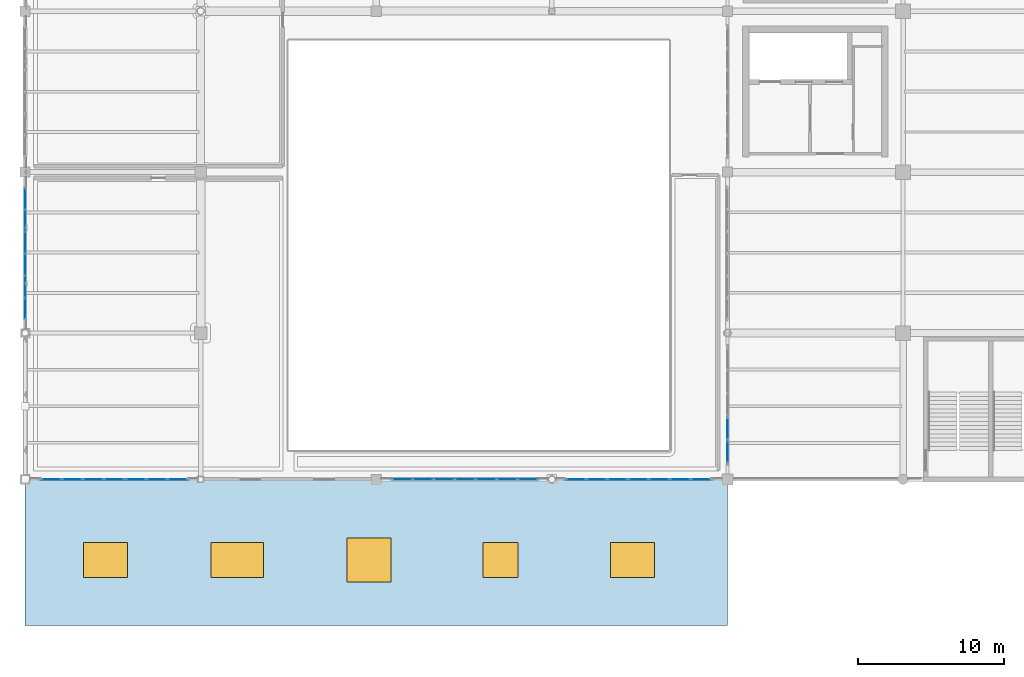
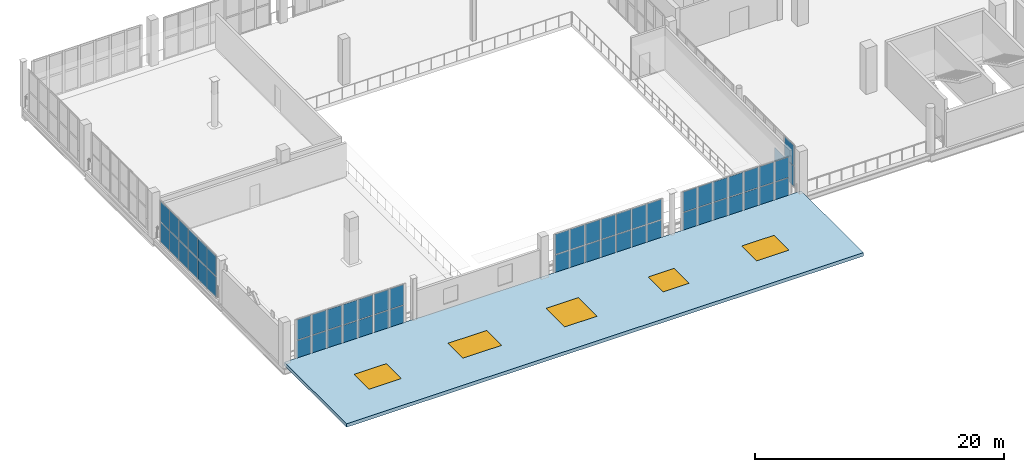
# One storey, part 66 of 108: 57 plates, 5 windows, 1 slab, 5 openings, 5 elements without a shape of their own.
"""IFC4 building model written with IfcOpenShell, lengths in metres."""

from ifc_helpers import new_model, si_unit, direction, frame, origin, origin_2d, place, context, subcontext, project, spatial, polyline, rectangle, outline, extrude, material, layer, layer_set, type_object, element, fill, aggregate, save


model = new_model("IFC4")

# Units and contexts
model_context = context("Model", 3, precision=1e-05, world=origin(), true_north=direction((0.0, 1.0)))
body_context = subcontext(model_context, "Body", "Model", "MODEL_VIEW")
ifc_project = project(units=[si_unit("LENGTHUNIT", "METRE"), si_unit("AREAUNIT", "SQUARE_METRE"), si_unit("VOLUMEUNIT", "CUBIC_METRE"), si_unit("PLANEANGLEUNIT", "RADIAN"), si_unit("MASSUNIT", "GRAM", prefix="KILO")], contexts=[model_context])

# Site, building, storey
site_placement = place(None, origin())
site = spatial("IfcSite", under=ifc_project, at=site_placement, CompositionType="ELEMENT")
building_placement = place(site_placement, origin())
building = spatial("IfcBuilding", under=site, at=building_placement, Name="Brinegate Civic Arena", CompositionType="ELEMENT")
storey_placement = place(building_placement, frame((0.0, 0.0, 10.199951171875)))
storey = spatial("IfcBuildingStorey", under=building, at=storey_placement, Name="L02", CompositionType="ELEMENT", Elevation=10.199951171875)

# Curtain wall, plates
ifc_material_1 = material(Name="Marine grade aluminium", Category="aluminium")
ifc_layer_1 = layer(ifc_material_1, 0.18505859375, Name="Marine grade aluminium")
ifc_layer_set_1 = layer_set([ifc_layer_1], Name="Marine grade aluminium")
curtain_wall_type_1 = type_object("IfcCurtainWallType", Name="CW-WING-GLAZED-03", PredefinedType="USERDEFINED", material=ifc_layer_set_1)
curtain_wall_1_placement = place(storey_placement, origin())
curtain_wall_1 = element("IfcCurtainWall", 1, at=curtain_wall_1_placement, inside=storey, type_object=curtain_wall_type_1, Name="Curtain Wall CWA-019", ObjectType="GLAZED CURTAIN WALL", PredefinedType="USERDEFINED")
ifc_material_2 = material(Name="Hurricane laminated low-E glass", Category="glass")
ifc_layer_2 = layer(ifc_material_2, 0.028076171875, Name="Hurricane laminated low-E glass")
ifc_layer_set_2 = layer_set([ifc_layer_2], Name="Hurricane laminated low-E glass")
plate_type_1 = type_object("IfcPlateType", Name="CW-PANEL-GLAZED-28", PredefinedType="CURTAIN_PANEL", material=ifc_layer_set_2)
plate_1_placement = place(storey_placement, frame((0.0, 21.67919921875, 0.0751953125), z_axis=(0.0, 0.0, 1.0), x_axis=(0.0, 1.0, 0.0)))
plate_1 = element("IfcPlate", 2, at=plate_1_placement, type_object=plate_type_1, Name="CWA-019 panel 1.1", PredefinedType="CURTAIN_PANEL", context=body_context, shape_type="SweptSolid", body=[
    extrude(rectangle(XDim=1.41015625, YDim=0.028076171875, at=origin_2d()), origin(), (0.0, 0.0, 1.0), 1.96240234375),
])
plate_2_placement = place(storey_placement, frame((0.0, 21.67919921875, 2.112548828125), z_axis=(0.0, 0.0, 1.0), x_axis=(0.0, 1.0, 0.0)))
plate_2 = element("IfcPlate", 3, at=plate_2_placement, type_object=plate_type_1, Name="CWA-019 panel 1.2", PredefinedType="CURTAIN_PANEL", context=body_context, shape_type="SweptSolid", body=[
    extrude(rectangle(XDim=1.41015625, YDim=0.028076171875, at=origin_2d()), origin(), (0.0, 0.0, 1.0), 1.96240234375),
])
plate_3_placement = place(storey_placement, frame((0.0, 23.17041015625, 0.0751953125), z_axis=(0.0, 0.0, 1.0), x_axis=(0.0, 1.0, 0.0)))
plate_3 = element("IfcPlate", 4, at=plate_3_placement, type_object=plate_type_1, Name="CWA-019 panel 2.1", PredefinedType="CURTAIN_PANEL", context=body_context, shape_type="SweptSolid", body=[
    extrude(rectangle(XDim=1.442626953125, YDim=0.028076171875, at=origin_2d()), origin(), (0.0, 0.0, 1.0), 1.96240234375),
])
plate_4_placement = place(storey_placement, frame((0.0, 23.17041015625, 2.112548828125), z_axis=(0.0, 0.0, 1.0), x_axis=(0.0, 1.0, 0.0)))
plate_4 = element("IfcPlate", 5, at=plate_4_placement, type_object=plate_type_1, Name="CWA-019 panel 2.2", PredefinedType="CURTAIN_PANEL", context=body_context, shape_type="SweptSolid", body=[
    extrude(rectangle(XDim=1.442626953125, YDim=0.028076171875, at=origin_2d()), origin(), (0.0, 0.0, 1.0), 1.96240234375),
])
plate_5_placement = place(storey_placement, frame((0.0, 24.67822265625, 0.0751953125), z_axis=(0.0, 0.0, 1.0), x_axis=(0.0, 1.0, 0.0)))
plate_5 = element("IfcPlate", 6, at=plate_5_placement, type_object=plate_type_1, Name="CWA-019 panel 3.1", PredefinedType="CURTAIN_PANEL", context=body_context, shape_type="SweptSolid", body=[
    extrude(rectangle(XDim=1.442626953125, YDim=0.028076171875, at=origin_2d()), origin(), (0.0, 0.0, 1.0), 1.96240234375),
])
plate_6_placement = place(storey_placement, frame((0.0, 24.67822265625, 2.112548828125), z_axis=(0.0, 0.0, 1.0), x_axis=(0.0, 1.0, 0.0)))
plate_6 = element("IfcPlate", 7, at=plate_6_placement, type_object=plate_type_1, Name="CWA-019 panel 3.2", PredefinedType="CURTAIN_PANEL", context=body_context, shape_type="SweptSolid", body=[
    extrude(rectangle(XDim=1.442626953125, YDim=0.028076171875, at=origin_2d()), origin(), (0.0, 0.0, 1.0), 1.96240234375),
])
plate_7_placement = place(storey_placement, frame((0.0, 26.185791015625, 0.0751953125), z_axis=(0.0, 0.0, 1.0), x_axis=(0.0, 1.0, 0.0)))
plate_7 = element("IfcPlate", 8, at=plate_7_placement, type_object=plate_type_1, Name="CWA-019 panel 4.1", PredefinedType="CURTAIN_PANEL", context=body_context, shape_type="SweptSolid", body=[
    extrude(rectangle(XDim=1.442626953125, YDim=0.028076171875, at=origin_2d()), origin(), (0.0, 0.0, 1.0), 1.96240234375),
])
plate_8_placement = place(storey_placement, frame((0.0, 26.185791015625, 2.112548828125), z_axis=(0.0, 0.0, 1.0), x_axis=(0.0, 1.0, 0.0)))
plate_8 = element("IfcPlate", 9, at=plate_8_placement, type_object=plate_type_1, Name="CWA-019 panel 4.2", PredefinedType="CURTAIN_PANEL", context=body_context, shape_type="SweptSolid", body=[
    extrude(rectangle(XDim=1.442626953125, YDim=0.028076171875, at=origin_2d()), origin(), (0.0, 0.0, 1.0), 1.96240234375),
])
plate_9_placement = place(storey_placement, frame((0.0, 27.693603515625, 0.0751953125), z_axis=(0.0, 0.0, 1.0), x_axis=(0.0, 1.0, 0.0)))
plate_9 = element("IfcPlate", 10, at=plate_9_placement, type_object=plate_type_1, Name="CWA-019 panel 5.1", PredefinedType="CURTAIN_PANEL", context=body_context, shape_type="SweptSolid", body=[
    extrude(rectangle(XDim=1.442626953125, YDim=0.028076171875, at=origin_2d()), origin(), (0.0, 0.0, 1.0), 1.96240234375),
])
plate_10_placement = place(storey_placement, frame((0.0, 27.693603515625, 2.112548828125), z_axis=(0.0, 0.0, 1.0), x_axis=(0.0, 1.0, 0.0)))
plate_10 = element("IfcPlate", 11, at=plate_10_placement, type_object=plate_type_1, Name="CWA-019 panel 5.2", PredefinedType="CURTAIN_PANEL", context=body_context, shape_type="SweptSolid", body=[
    extrude(rectangle(XDim=1.442626953125, YDim=0.028076171875, at=origin_2d()), origin(), (0.0, 0.0, 1.0), 1.96240234375),
])
plate_11_placement = place(storey_placement, frame((0.0, 29.184814453125, 0.0751953125), z_axis=(0.0, 0.0, 1.0), x_axis=(0.0, 1.0, 0.0)))
plate_11 = element("IfcPlate", 12, at=plate_11_placement, type_object=plate_type_1, Name="CWA-019 panel 6.1", PredefinedType="CURTAIN_PANEL", context=body_context, shape_type="SweptSolid", body=[
    extrude(rectangle(XDim=1.41015625, YDim=0.028076171875, at=origin_2d()), origin(), (0.0, 0.0, 1.0), 1.96240234375),
])
plate_12_placement = place(storey_placement, frame((0.0, 29.184814453125, 2.112548828125), z_axis=(0.0, 0.0, 1.0), x_axis=(0.0, 1.0, 0.0)))
plate_12 = element("IfcPlate", 13, at=plate_12_placement, type_object=plate_type_1, Name="CWA-019 panel 6.2", PredefinedType="CURTAIN_PANEL", context=body_context, shape_type="SweptSolid", body=[
    extrude(rectangle(XDim=1.41015625, YDim=0.028076171875, at=origin_2d()), origin(), (0.0, 0.0, 1.0), 1.96240234375),
])
aggregate(curtain_wall_1, [plate_1, plate_2, plate_3, plate_4, plate_5, plate_6, plate_7, plate_8, plate_9, plate_10, plate_11, plate_12])

curtain_wall_2_placement = place(storey_placement, origin())
curtain_wall_2 = element("IfcCurtainWall", 14, at=curtain_wall_2_placement, inside=storey, type_object=curtain_wall_type_1, Name="Curtain Wall CWA-023", ObjectType="GLAZED CURTAIN WALL", PredefinedType="USERDEFINED")
ifc_layer_3 = layer(ifc_material_2, 0.031982421875, Name="Hurricane laminated low-E glass")
ifc_layer_set_3 = layer_set([ifc_layer_3], Name="Hurricane laminated low-E glass")
plate_type_2 = type_object("IfcPlateType", Name="CW-PANEL-GLAZED-32", PredefinedType="CURTAIN_PANEL", material=ifc_layer_set_3)
plate_13_placement = place(storey_placement, frame((25.77880859375, 10.0, 0.06494140625), z_axis=(0.0, 0.0, 1.0), x_axis=(1.0, 0.0, 0.0)))
plate_13 = element("IfcPlate", 15, at=plate_13_placement, type_object=plate_type_2, Name="CWA-023 panel 1.1", PredefinedType="CURTAIN_PANEL", context=body_context, shape_type="SweptSolid", body=[
    extrude(rectangle(XDim=1.337646484375, YDim=0.031982421875, at=origin_2d()), origin(), (0.0, 0.0, 1.0), 1.9775390625),
])
plate_14_placement = place(storey_placement, frame((25.77880859375, 10.0, 2.107421875), z_axis=(0.0, 0.0, 1.0), x_axis=(1.0, 0.0, 0.0)))
plate_14 = element("IfcPlate", 16, at=plate_14_placement, type_object=plate_type_2, Name="CWA-023 panel 1.2", PredefinedType="CURTAIN_PANEL", context=body_context, shape_type="SweptSolid", body=[
    extrude(rectangle(XDim=1.337646484375, YDim=0.031982421875, at=origin_2d()), origin(), (0.0, 0.0, 1.0), 1.9775390625),
])
plate_15_placement = place(storey_placement, frame((27.19775390625, 10.0, 0.06494140625), z_axis=(0.0, 0.0, 1.0), x_axis=(1.0, 0.0, 0.0)))
plate_15 = element("IfcPlate", 17, at=plate_15_placement, type_object=plate_type_2, Name="CWA-023 panel 2.1", PredefinedType="CURTAIN_PANEL", context=body_context, shape_type="SweptSolid", body=[
    extrude(rectangle(XDim=1.3701171875, YDim=0.031982421875, at=origin_2d()), origin(), (0.0, 0.0, 1.0), 1.9775390625),
])
plate_16_placement = place(storey_placement, frame((27.19775390625, 10.0, 2.107421875), z_axis=(0.0, 0.0, 1.0), x_axis=(1.0, 0.0, 0.0)))
plate_16 = element("IfcPlate", 18, at=plate_16_placement, type_object=plate_type_2, Name="CWA-023 panel 2.2", PredefinedType="CURTAIN_PANEL", context=body_context, shape_type="SweptSolid", body=[
    extrude(rectangle(XDim=1.3701171875, YDim=0.031982421875, at=origin_2d()), origin(), (0.0, 0.0, 1.0), 1.9775390625),
])
plate_17_placement = place(storey_placement, frame((28.6328125, 10.0, 0.06494140625), z_axis=(0.0, 0.0, 1.0), x_axis=(1.0, 0.0, 0.0)))
plate_17 = element("IfcPlate", 19, at=plate_17_placement, type_object=plate_type_2, Name="CWA-023 panel 3.1", PredefinedType="CURTAIN_PANEL", context=body_context, shape_type="SweptSolid", body=[
    extrude(rectangle(XDim=1.3701171875, YDim=0.031982421875, at=origin_2d()), origin(), (0.0, 0.0, 1.0), 1.9775390625),
])
plate_18_placement = place(storey_placement, frame((28.6328125, 10.0, 2.107421875), z_axis=(0.0, 0.0, 1.0), x_axis=(1.0, 0.0, 0.0)))
plate_18 = element("IfcPlate", 20, at=plate_18_placement, type_object=plate_type_2, Name="CWA-023 panel 3.2", PredefinedType="CURTAIN_PANEL", context=body_context, shape_type="SweptSolid", body=[
    extrude(rectangle(XDim=1.3701171875, YDim=0.031982421875, at=origin_2d()), origin(), (0.0, 0.0, 1.0), 1.9775390625),
])
plate_19_placement = place(storey_placement, frame((30.068115234375, 10.0, 0.06494140625), z_axis=(0.0, 0.0, 1.0), x_axis=(1.0, 0.0, 0.0)))
plate_19 = element("IfcPlate", 21, at=plate_19_placement, type_object=plate_type_2, Name="CWA-023 panel 4.1", PredefinedType="CURTAIN_PANEL", context=body_context, shape_type="SweptSolid", body=[
    extrude(rectangle(XDim=1.3701171875, YDim=0.031982421875, at=origin_2d()), origin(), (0.0, 0.0, 1.0), 1.9775390625),
])
plate_20_placement = place(storey_placement, frame((30.068115234375, 10.0, 2.107421875), z_axis=(0.0, 0.0, 1.0), x_axis=(1.0, 0.0, 0.0)))
plate_20 = element("IfcPlate", 22, at=plate_20_placement, type_object=plate_type_2, Name="CWA-023 panel 4.2", PredefinedType="CURTAIN_PANEL", context=body_context, shape_type="SweptSolid", body=[
    extrude(rectangle(XDim=1.3701171875, YDim=0.031982421875, at=origin_2d()), origin(), (0.0, 0.0, 1.0), 1.9775390625),
])
plate_21_placement = place(storey_placement, frame((31.503173828125, 10.0, 0.06494140625), z_axis=(0.0, 0.0, 1.0), x_axis=(1.0, 0.0, 0.0)))
plate_21 = element("IfcPlate", 23, at=plate_21_placement, type_object=plate_type_2, Name="CWA-023 panel 5.1", PredefinedType="CURTAIN_PANEL", context=body_context, shape_type="SweptSolid", body=[
    extrude(rectangle(XDim=1.3701171875, YDim=0.031982421875, at=origin_2d()), origin(), (0.0, 0.0, 1.0), 1.9775390625),
])
plate_22_placement = place(storey_placement, frame((31.503173828125, 10.0, 2.107421875), z_axis=(0.0, 0.0, 1.0), x_axis=(1.0, 0.0, 0.0)))
plate_22 = element("IfcPlate", 24, at=plate_22_placement, type_object=plate_type_2, Name="CWA-023 panel 5.2", PredefinedType="CURTAIN_PANEL", context=body_context, shape_type="SweptSolid", body=[
    extrude(rectangle(XDim=1.3701171875, YDim=0.031982421875, at=origin_2d()), origin(), (0.0, 0.0, 1.0), 1.9775390625),
])
plate_23_placement = place(storey_placement, frame((32.938232421875, 10.0, 0.06494140625), z_axis=(0.0, 0.0, 1.0), x_axis=(1.0, 0.0, 0.0)))
plate_23 = element("IfcPlate", 25, at=plate_23_placement, type_object=plate_type_2, Name="CWA-023 panel 6.1", PredefinedType="CURTAIN_PANEL", context=body_context, shape_type="SweptSolid", body=[
    extrude(rectangle(XDim=1.3701171875, YDim=0.031982421875, at=origin_2d()), origin(), (0.0, 0.0, 1.0), 1.9775390625),
])
plate_24_placement = place(storey_placement, frame((32.938232421875, 10.0, 2.107421875), z_axis=(0.0, 0.0, 1.0), x_axis=(1.0, 0.0, 0.0)))
plate_24 = element("IfcPlate", 26, at=plate_24_placement, type_object=plate_type_2, Name="CWA-023 panel 6.2", PredefinedType="CURTAIN_PANEL", context=body_context, shape_type="SweptSolid", body=[
    extrude(rectangle(XDim=1.3701171875, YDim=0.031982421875, at=origin_2d()), origin(), (0.0, 0.0, 1.0), 1.9775390625),
])
plate_25_placement = place(storey_placement, frame((34.357177734375, 10.0, 0.06494140625), z_axis=(0.0, 0.0, 1.0), x_axis=(1.0, 0.0, 0.0)))
plate_25 = element("IfcPlate", 27, at=plate_25_placement, type_object=plate_type_2, Name="CWA-023 panel 7.1", PredefinedType="CURTAIN_PANEL", context=body_context, shape_type="SweptSolid", body=[
    extrude(rectangle(XDim=1.337646484375, YDim=0.031982421875, at=origin_2d()), origin(), (0.0, 0.0, 1.0), 1.9775390625),
])
plate_26_placement = place(storey_placement, frame((34.357177734375, 10.0, 2.107421875), z_axis=(0.0, 0.0, 1.0), x_axis=(1.0, 0.0, 0.0)))
plate_26 = element("IfcPlate", 28, at=plate_26_placement, type_object=plate_type_2, Name="CWA-023 panel 7.2", PredefinedType="CURTAIN_PANEL", context=body_context, shape_type="SweptSolid", body=[
    extrude(rectangle(XDim=1.337646484375, YDim=0.031982421875, at=origin_2d()), origin(), (0.0, 0.0, 1.0), 1.9775390625),
])
aggregate(curtain_wall_2, [plate_13, plate_14, plate_15, plate_16, plate_17, plate_18, plate_19, plate_20, plate_21, plate_22, plate_23, plate_24, plate_25, plate_26])

curtain_wall_3_placement = place(storey_placement, origin())
curtain_wall_3 = element("IfcCurtainWall", 29, at=curtain_wall_3_placement, inside=storey, type_object=curtain_wall_type_1, Name="Curtain Wall CWA-025", ObjectType="GLAZED CURTAIN WALL", PredefinedType="USERDEFINED")
ifc_layer_4 = layer(ifc_material_2, 0.0419921875, Name="Hurricane laminated low-E glass")
ifc_layer_set_4 = layer_set([ifc_layer_4], Name="Hurricane laminated low-E glass")
plate_type_3 = type_object("IfcPlateType", Name="CW-PANEL-SPANDREL-42", PredefinedType="CURTAIN_PANEL", material=ifc_layer_set_4)
plate_27_placement = place(storey_placement, frame((37.64404296875, 10.0, 0.06494140625), z_axis=(0.0, 0.0, 1.0), x_axis=(1.0, 0.0, 0.0)))
plate_27 = element("IfcPlate", 30, at=plate_27_placement, type_object=plate_type_3, Name="CWA-025 panel 1.1", PredefinedType="CURTAIN_PANEL", context=body_context, shape_type="SweptSolid", body=[
    extrude(rectangle(XDim=1.31005859375, YDim=0.0419921875, at=origin_2d()), origin(), (0.0, 0.0, 1.0), 1.9775390625),
])
plate_28_placement = place(storey_placement, frame((37.64404296875, 10.0, 2.107421875), z_axis=(0.0, 0.0, 1.0), x_axis=(1.0, 0.0, 0.0)))
plate_28 = element("IfcPlate", 31, at=plate_28_placement, type_object=plate_type_3, Name="CWA-025 panel 1.2", PredefinedType="CURTAIN_PANEL", context=body_context, shape_type="SweptSolid", body=[
    extrude(rectangle(XDim=1.31005859375, YDim=0.0419921875, at=origin_2d()), origin(), (0.0, 0.0, 1.0), 1.9775390625),
])
plate_29_placement = place(storey_placement, frame((39.05419921875, 10.0, 0.06494140625), z_axis=(0.0, 0.0, 1.0), x_axis=(1.0, 0.0, 0.0)))
plate_29 = element("IfcPlate", 32, at=plate_29_placement, type_object=plate_type_3, Name="CWA-025 panel 2.1", PredefinedType="CURTAIN_PANEL", context=body_context, shape_type="SweptSolid", body=[
    extrude(rectangle(XDim=1.35009765625, YDim=0.0419921875, at=origin_2d()), origin(), (0.0, 0.0, 1.0), 1.9775390625),
])
plate_30_placement = place(storey_placement, frame((39.05419921875, 10.0, 2.107421875), z_axis=(0.0, 0.0, 1.0), x_axis=(1.0, 0.0, 0.0)))
plate_30 = element("IfcPlate", 33, at=plate_30_placement, type_object=plate_type_3, Name="CWA-025 panel 2.2", PredefinedType="CURTAIN_PANEL", context=body_context, shape_type="SweptSolid", body=[
    extrude(rectangle(XDim=1.35009765625, YDim=0.0419921875, at=origin_2d()), origin(), (0.0, 0.0, 1.0), 1.9775390625),
])
plate_31_placement = place(storey_placement, frame((40.484375, 10.0, 0.06494140625), z_axis=(0.0, 0.0, 1.0), x_axis=(1.0, 0.0, 0.0)))
plate_31 = element("IfcPlate", 34, at=plate_31_placement, type_object=plate_type_3, Name="CWA-025 panel 3.1", PredefinedType="CURTAIN_PANEL", context=body_context, shape_type="SweptSolid", body=[
    extrude(rectangle(XDim=1.35009765625, YDim=0.0419921875, at=origin_2d()), origin(), (0.0, 0.0, 1.0), 1.9775390625),
])
plate_32_placement = place(storey_placement, frame((40.484375, 10.0, 2.107421875), z_axis=(0.0, 0.0, 1.0), x_axis=(1.0, 0.0, 0.0)))
plate_32 = element("IfcPlate", 35, at=plate_32_placement, type_object=plate_type_3, Name="CWA-025 panel 3.2", PredefinedType="CURTAIN_PANEL", context=body_context, shape_type="SweptSolid", body=[
    extrude(rectangle(XDim=1.35009765625, YDim=0.0419921875, at=origin_2d()), origin(), (0.0, 0.0, 1.0), 1.9775390625),
])
plate_33_placement = place(storey_placement, frame((41.91455078125, 10.0, 0.06494140625), z_axis=(0.0, 0.0, 1.0), x_axis=(1.0, 0.0, 0.0)))
plate_33 = element("IfcPlate", 36, at=plate_33_placement, type_object=plate_type_3, Name="CWA-025 panel 4.1", PredefinedType="CURTAIN_PANEL", context=body_context, shape_type="SweptSolid", body=[
    extrude(rectangle(XDim=1.35009765625, YDim=0.0419921875, at=origin_2d()), origin(), (0.0, 0.0, 1.0), 1.9775390625),
])
plate_34_placement = place(storey_placement, frame((41.91455078125, 10.0, 2.107421875), z_axis=(0.0, 0.0, 1.0), x_axis=(1.0, 0.0, 0.0)))
plate_34 = element("IfcPlate", 37, at=plate_34_placement, type_object=plate_type_3, Name="CWA-025 panel 4.2", PredefinedType="CURTAIN_PANEL", context=body_context, shape_type="SweptSolid", body=[
    extrude(rectangle(XDim=1.35009765625, YDim=0.0419921875, at=origin_2d()), origin(), (0.0, 0.0, 1.0), 1.9775390625),
])
plate_35_placement = place(storey_placement, frame((43.3447265625, 10.0, 0.06494140625), z_axis=(0.0, 0.0, 1.0), x_axis=(1.0, 0.0, 0.0)))
plate_35 = element("IfcPlate", 38, at=plate_35_placement, type_object=plate_type_3, Name="CWA-025 panel 5.1", PredefinedType="CURTAIN_PANEL", context=body_context, shape_type="SweptSolid", body=[
    extrude(rectangle(XDim=1.35009765625, YDim=0.0419921875, at=origin_2d()), origin(), (0.0, 0.0, 1.0), 1.9775390625),
])
plate_36_placement = place(storey_placement, frame((43.3447265625, 10.0, 2.107421875), z_axis=(0.0, 0.0, 1.0), x_axis=(1.0, 0.0, 0.0)))
plate_36 = element("IfcPlate", 39, at=plate_36_placement, type_object=plate_type_3, Name="CWA-025 panel 5.2", PredefinedType="CURTAIN_PANEL", context=body_context, shape_type="SweptSolid", body=[
    extrude(rectangle(XDim=1.35009765625, YDim=0.0419921875, at=origin_2d()), origin(), (0.0, 0.0, 1.0), 1.9775390625),
])
plate_37_placement = place(storey_placement, frame((44.77490234375, 10.0, 0.06494140625), z_axis=(0.0, 0.0, 1.0), x_axis=(1.0, 0.0, 0.0)))
plate_37 = element("IfcPlate", 40, at=plate_37_placement, type_object=plate_type_3, Name="CWA-025 panel 6.1", PredefinedType="CURTAIN_PANEL", context=body_context, shape_type="SweptSolid", body=[
    extrude(rectangle(XDim=1.35009765625, YDim=0.0419921875, at=origin_2d()), origin(), (0.0, 0.0, 1.0), 1.9775390625),
])
plate_38_placement = place(storey_placement, frame((44.77490234375, 10.0, 2.107421875), z_axis=(0.0, 0.0, 1.0), x_axis=(1.0, 0.0, 0.0)))
plate_38 = element("IfcPlate", 41, at=plate_38_placement, type_object=plate_type_3, Name="CWA-025 panel 6.2", PredefinedType="CURTAIN_PANEL", context=body_context, shape_type="SweptSolid", body=[
    extrude(rectangle(XDim=1.35009765625, YDim=0.0419921875, at=origin_2d()), origin(), (0.0, 0.0, 1.0), 1.9775390625),
])
plate_39_placement = place(storey_placement, frame((46.184814453125, 10.0, 0.06494140625), z_axis=(0.0, 0.0, 1.0), x_axis=(1.0, 0.0, 0.0)))
plate_39 = element("IfcPlate", 42, at=plate_39_placement, type_object=plate_type_3, Name="CWA-025 panel 7.1", PredefinedType="CURTAIN_PANEL", context=body_context, shape_type="SweptSolid", body=[
    extrude(rectangle(XDim=1.31005859375, YDim=0.0419921875, at=origin_2d()), origin(), (0.0, 0.0, 1.0), 1.9775390625),
])
plate_40_placement = place(storey_placement, frame((46.184814453125, 10.0, 2.107421875), z_axis=(0.0, 0.0, 1.0), x_axis=(1.0, 0.0, 0.0)))
plate_40 = element("IfcPlate", 43, at=plate_40_placement, type_object=plate_type_3, Name="CWA-025 panel 7.2", PredefinedType="CURTAIN_PANEL", context=body_context, shape_type="SweptSolid", body=[
    extrude(rectangle(XDim=1.31005859375, YDim=0.0419921875, at=origin_2d()), origin(), (0.0, 0.0, 1.0), 1.9775390625),
])
aggregate(curtain_wall_3, [plate_27, plate_28, plate_29, plate_30, plate_31, plate_32, plate_33, plate_34, plate_35, plate_36, plate_37, plate_38, plate_39, plate_40])

ifc_layer_5 = layer(ifc_material_1, 0.199951171875, Name="Marine grade aluminium")
ifc_layer_set_5 = layer_set([ifc_layer_5], Name="Marine grade aluminium")
curtain_wall_type_2 = type_object("IfcCurtainWallType", Name="CW-BOWL-GLAZED-01", PredefinedType="USERDEFINED", material=ifc_layer_set_5)
curtain_wall_4_placement = place(storey_placement, origin())
curtain_wall_4 = element("IfcCurtainWall", 44, at=curtain_wall_4_placement, inside=storey, type_object=curtain_wall_type_2, Name="Curtain Wall CWA-075", ObjectType="GLAZED CURTAIN WALL", PredefinedType="USERDEFINED")
plate_41_placement = place(storey_placement, frame((48.0, 11.901123046875, 0.06494140625), z_axis=(0.0, 0.0, 1.0), x_axis=(0.0, 1.0, 0.0)))
plate_41 = element("IfcPlate", 45, at=plate_41_placement, type_object=plate_type_3, Name="CWA-075 panel 1.1", PredefinedType="CURTAIN_PANEL", context=body_context, shape_type="SweptSolid", body=[
    extrude(rectangle(XDim=1.482177734375, YDim=0.0419921875, at=origin_2d()), origin(), (0.0, 0.0, 1.0), 1.9775390625),
])
plate_42_placement = place(storey_placement, frame((48.0, 11.901123046875, 2.107421875), z_axis=(0.0, 0.0, 1.0), x_axis=(0.0, 1.0, 0.0)))
plate_42 = element("IfcPlate", 46, at=plate_42_placement, type_object=plate_type_3, Name="CWA-075 panel 1.2", PredefinedType="CURTAIN_PANEL", context=body_context, shape_type="SweptSolid", body=[
    extrude(rectangle(XDim=1.482177734375, YDim=0.0419921875, at=origin_2d()), origin(), (0.0, 0.0, 1.0), 1.9775390625),
])
plate_43_placement = place(storey_placement, frame((48.0, 13.4833984375, 0.06494140625), z_axis=(0.0, 0.0, 1.0), x_axis=(0.0, 1.0, 0.0)))
plate_43 = element("IfcPlate", 47, at=plate_43_placement, type_object=plate_type_3, Name="CWA-075 panel 2.1", PredefinedType="CURTAIN_PANEL", context=body_context, shape_type="SweptSolid", body=[
    extrude(rectangle(XDim=1.522216796875, YDim=0.0419921875, at=origin_2d()), origin(), (0.0, 0.0, 1.0), 1.9775390625),
])
aggregate(curtain_wall_4, [plate_41, plate_42, plate_43])

curtain_wall_5_placement = place(storey_placement, origin())
curtain_wall_5 = element("IfcCurtainWall", 48, at=curtain_wall_5_placement, inside=storey, type_object=curtain_wall_type_1, Name="Curtain Wall CWA-095", ObjectType="GLAZED CURTAIN WALL", PredefinedType="USERDEFINED")
plate_44_placement = place(storey_placement, frame((1.7880859375, 10.0, 0.06494140625), z_axis=(0.0, 0.0, 1.0), x_axis=(1.0, 0.0, 0.0)))
plate_44 = element("IfcPlate", 49, at=plate_44_placement, type_object=plate_type_3, Name="CWA-095 panel 1.1", PredefinedType="CURTAIN_PANEL", context=body_context, shape_type="SweptSolid", body=[
    extrude(rectangle(XDim=1.325927734375, YDim=0.0419921875, at=origin_2d()), origin(), (0.0, 0.0, 1.0), 1.9775390625),
])
plate_45_placement = place(storey_placement, frame((1.7880859375, 10.0, 2.107421875), z_axis=(0.0, 0.0, 1.0), x_axis=(1.0, 0.0, 0.0)))
plate_45 = element("IfcPlate", 50, at=plate_45_placement, type_object=plate_type_3, Name="CWA-095 panel 1.2", PredefinedType="CURTAIN_PANEL", context=body_context, shape_type="SweptSolid", body=[
    extrude(rectangle(XDim=1.325927734375, YDim=0.0419921875, at=origin_2d()), origin(), (0.0, 0.0, 1.0), 1.9775390625),
])
plate_46_placement = place(storey_placement, frame((3.214111328125, 10.0, 0.06494140625), z_axis=(0.0, 0.0, 1.0), x_axis=(1.0, 0.0, 0.0)))
plate_46 = element("IfcPlate", 51, at=plate_46_placement, type_object=plate_type_3, Name="CWA-095 panel 2.1", PredefinedType="CURTAIN_PANEL", context=body_context, shape_type="SweptSolid", body=[
    extrude(rectangle(XDim=1.365966796875, YDim=0.0419921875, at=origin_2d()), origin(), (0.0, 0.0, 1.0), 1.9775390625),
])
plate_47_placement = place(storey_placement, frame((3.214111328125, 10.0, 2.107421875), z_axis=(0.0, 0.0, 1.0), x_axis=(1.0, 0.0, 0.0)))
plate_47 = element("IfcPlate", 52, at=plate_47_placement, type_object=plate_type_3, Name="CWA-095 panel 2.2", PredefinedType="CURTAIN_PANEL", context=body_context, shape_type="SweptSolid", body=[
    extrude(rectangle(XDim=1.365966796875, YDim=0.0419921875, at=origin_2d()), origin(), (0.0, 0.0, 1.0), 1.9775390625),
])
plate_48_placement = place(storey_placement, frame((4.659912109375, 10.0, 0.06494140625), z_axis=(0.0, 0.0, 1.0), x_axis=(1.0, 0.0, 0.0)))
plate_48 = element("IfcPlate", 53, at=plate_48_placement, type_object=plate_type_3, Name="CWA-095 panel 3.1", PredefinedType="CURTAIN_PANEL", context=body_context, shape_type="SweptSolid", body=[
    extrude(rectangle(XDim=1.365966796875, YDim=0.0419921875, at=origin_2d()), origin(), (0.0, 0.0, 1.0), 1.9775390625),
])
plate_49_placement = place(storey_placement, frame((4.659912109375, 10.0, 2.107421875), z_axis=(0.0, 0.0, 1.0), x_axis=(1.0, 0.0, 0.0)))
plate_49 = element("IfcPlate", 54, at=plate_49_placement, type_object=plate_type_3, Name="CWA-095 panel 3.2", PredefinedType="CURTAIN_PANEL", context=body_context, shape_type="SweptSolid", body=[
    extrude(rectangle(XDim=1.365966796875, YDim=0.0419921875, at=origin_2d()), origin(), (0.0, 0.0, 1.0), 1.9775390625),
])
plate_50_placement = place(storey_placement, frame((6.10595703125, 10.0, 0.06494140625), z_axis=(0.0, 0.0, 1.0), x_axis=(1.0, 0.0, 0.0)))
plate_50 = element("IfcPlate", 55, at=plate_50_placement, type_object=plate_type_3, Name="CWA-095 panel 4.1", PredefinedType="CURTAIN_PANEL", context=body_context, shape_type="SweptSolid", body=[
    extrude(rectangle(XDim=1.365966796875, YDim=0.0419921875, at=origin_2d()), origin(), (0.0, 0.0, 1.0), 1.9775390625),
])
plate_51_placement = place(storey_placement, frame((6.10595703125, 10.0, 2.107421875), z_axis=(0.0, 0.0, 1.0), x_axis=(1.0, 0.0, 0.0)))
plate_51 = element("IfcPlate", 56, at=plate_51_placement, type_object=plate_type_3, Name="CWA-095 panel 4.2", PredefinedType="CURTAIN_PANEL", context=body_context, shape_type="SweptSolid", body=[
    extrude(rectangle(XDim=1.365966796875, YDim=0.0419921875, at=origin_2d()), origin(), (0.0, 0.0, 1.0), 1.9775390625),
])
plate_52_placement = place(storey_placement, frame((7.552001953125, 10.0, 0.06494140625), z_axis=(0.0, 0.0, 1.0), x_axis=(1.0, 0.0, 0.0)))
plate_52 = element("IfcPlate", 57, at=plate_52_placement, type_object=plate_type_3, Name="CWA-095 panel 5.1", PredefinedType="CURTAIN_PANEL", context=body_context, shape_type="SweptSolid", body=[
    extrude(rectangle(XDim=1.365966796875, YDim=0.0419921875, at=origin_2d()), origin(), (0.0, 0.0, 1.0), 1.9775390625),
])
plate_53_placement = place(storey_placement, frame((7.552001953125, 10.0, 2.107421875), z_axis=(0.0, 0.0, 1.0), x_axis=(1.0, 0.0, 0.0)))
plate_53 = element("IfcPlate", 58, at=plate_53_placement, type_object=plate_type_3, Name="CWA-095 panel 5.2", PredefinedType="CURTAIN_PANEL", context=body_context, shape_type="SweptSolid", body=[
    extrude(rectangle(XDim=1.365966796875, YDim=0.0419921875, at=origin_2d()), origin(), (0.0, 0.0, 1.0), 1.9775390625),
])
plate_54_placement = place(storey_placement, frame((8.998046875, 10.0, 0.06494140625), z_axis=(0.0, 0.0, 1.0), x_axis=(1.0, 0.0, 0.0)))
plate_54 = element("IfcPlate", 59, at=plate_54_placement, type_object=plate_type_3, Name="CWA-095 panel 6.1", PredefinedType="CURTAIN_PANEL", context=body_context, shape_type="SweptSolid", body=[
    extrude(rectangle(XDim=1.365966796875, YDim=0.0419921875, at=origin_2d()), origin(), (0.0, 0.0, 1.0), 1.9775390625),
])
plate_55_placement = place(storey_placement, frame((8.998046875, 10.0, 2.107421875), z_axis=(0.0, 0.0, 1.0), x_axis=(1.0, 0.0, 0.0)))
plate_55 = element("IfcPlate", 60, at=plate_55_placement, type_object=plate_type_3, Name="CWA-095 panel 6.2", PredefinedType="CURTAIN_PANEL", context=body_context, shape_type="SweptSolid", body=[
    extrude(rectangle(XDim=1.365966796875, YDim=0.0419921875, at=origin_2d()), origin(), (0.0, 0.0, 1.0), 1.9775390625),
])
plate_56_placement = place(storey_placement, frame((10.424072265625, 10.0, 0.06494140625), z_axis=(0.0, 0.0, 1.0), x_axis=(1.0, 0.0, 0.0)))
plate_56 = element("IfcPlate", 61, at=plate_56_placement, type_object=plate_type_3, Name="CWA-095 panel 7.1", PredefinedType="CURTAIN_PANEL", context=body_context, shape_type="SweptSolid", body=[
    extrude(rectangle(XDim=1.325927734375, YDim=0.0419921875, at=origin_2d()), origin(), (0.0, 0.0, 1.0), 1.9775390625),
])
plate_57_placement = place(storey_placement, frame((10.424072265625, 10.0, 2.107421875), z_axis=(0.0, 0.0, 1.0), x_axis=(1.0, 0.0, 0.0)))
plate_57 = element("IfcPlate", 62, at=plate_57_placement, type_object=plate_type_3, Name="CWA-095 panel 7.2", PredefinedType="CURTAIN_PANEL", context=body_context, shape_type="SweptSolid", body=[
    extrude(rectangle(XDim=1.325927734375, YDim=0.0419921875, at=origin_2d()), origin(), (0.0, 0.0, 1.0), 1.9775390625),
])
aggregate(curtain_wall_5, [plate_44, plate_45, plate_46, plate_47, plate_48, plate_49, plate_50, plate_51, plate_52, plate_53, plate_54, plate_55, plate_56, plate_57])

# Slab, openings, windows
ifc_material_3 = material(Name="Concrete C40/50", Category="concrete")
ifc_layer_6 = layer(ifc_material_3, 0.340087890625, Name="Concrete C40/50")
ifc_layer_set_6 = layer_set([ifc_layer_6], Name="Concrete C40/50")
slab_type = type_object("IfcSlabType", Name="SLAB-ROOF-PORTAL-340", PredefinedType="ROOF", material=ifc_layer_set_6)
slab_placement = place(storey_placement, origin())
slab = element("IfcSlab", 63, at=slab_placement, inside=storey, type_object=slab_type, Name="West Hall South Skylight Roof Slab", PredefinedType="ROOF", context=body_context, shape_type="SweptSolid", body=[
    extrude(outline(polyline([(0.0, 0.0), (48.0, 0.0), (48.0, 10.0), (0.0, 10.0), (0.0, 0.0)])), origin(), (0.0, 0.0, 1.0), 0.340087890625),
])
opening_1_placement = place(slab_placement, frame((5.5, 4.5, 0.0)))
opening_1 = element("IfcOpeningElement", 64, at=opening_1_placement, cuts=slab, Name="Opening SKY-S01", PredefinedType="OPENING", context=body_context, shape_type="SweptSolid", body=[
    extrude(rectangle(XDim=3.0, YDim=2.39990234375, at=origin_2d()), origin(), (0.0, 0.0, 1.0), 0.340087890625),
])
opening_2_placement = place(slab_placement, frame((14.5, 4.5, 0.0)))
opening_2 = element("IfcOpeningElement", 65, at=opening_2_placement, cuts=slab, Name="Opening SKY-S02", PredefinedType="OPENING", context=body_context, shape_type="SweptSolid", body=[
    extrude(rectangle(XDim=3.60009765625, YDim=2.39990234375, at=origin_2d()), origin(), (0.0, 0.0, 1.0), 0.340087890625),
])
opening_3_placement = place(slab_placement, frame((23.5, 4.5, 0.0)))
opening_3 = element("IfcOpeningElement", 66, at=opening_3_placement, cuts=slab, Name="Opening SKY-S03", PredefinedType="OPENING", context=body_context, shape_type="SweptSolid", body=[
    extrude(rectangle(XDim=3.0, YDim=3.0, at=origin_2d()), origin(), (0.0, 0.0, 1.0), 0.340087890625),
])
opening_4_placement = place(slab_placement, frame((32.5, 4.5, 0.0)))
opening_4 = element("IfcOpeningElement", 67, at=opening_4_placement, cuts=slab, Name="Opening SKY-S04", PredefinedType="OPENING", context=body_context, shape_type="SweptSolid", body=[
    extrude(rectangle(XDim=2.39990234375, YDim=2.39990234375, at=origin_2d()), origin(), (0.0, 0.0, 1.0), 0.340087890625),
])
opening_5_placement = place(slab_placement, frame((41.5, 4.5, 0.0)))
opening_5 = element("IfcOpeningElement", 68, at=opening_5_placement, cuts=slab, Name="Opening SKY-S05", PredefinedType="OPENING", context=body_context, shape_type="SweptSolid", body=[
    extrude(rectangle(XDim=3.0, YDim=2.39990234375, at=origin_2d()), origin(), (0.0, 0.0, 1.0), 0.340087890625),
])
ifc_material_4 = material(Name="Tempered laminated skylight glass", Category="glass")
window_type_1 = type_object("IfcWindowType", Name="SKYLIGHT-ROOF-2400X2400", PartitioningType="SINGLE_PANEL", PredefinedType="SKYLIGHT", material=ifc_material_4)
window_1_placement = place(opening_4_placement, frame((0.0, 0.0, 0.2900390625)))
window_1 = element("IfcWindow", 69, at=window_1_placement, inside=storey, type_object=window_type_1, Name="Roof Skylight SKY-S04", OverallHeight=2.39990234375, OverallWidth=2.39990234375, PartitioningType="SINGLE_PANEL", PredefinedType="SKYLIGHT", context=body_context, shape_type="SweptSolid", body=[
    extrude(rectangle(XDim=2.39990234375, YDim=2.39990234375, at=origin_2d()), origin(), (0.0, 0.0, 1.0), 0.050048828125),
])
fill(opening_4, window_1)
window_type_2 = type_object("IfcWindowType", Name="SKYLIGHT-ROOF-3000X2400", PartitioningType="SINGLE_PANEL", PredefinedType="SKYLIGHT", material=ifc_material_4)
window_2_placement = place(opening_1_placement, frame((0.0, 0.0, 0.2900390625)))
window_2 = element("IfcWindow", 70, at=window_2_placement, inside=storey, type_object=window_type_2, Name="Roof Skylight SKY-S01", OverallHeight=2.39990234375, OverallWidth=3.0, PartitioningType="SINGLE_PANEL", PredefinedType="SKYLIGHT", context=body_context, shape_type="SweptSolid", body=[
    extrude(rectangle(XDim=3.0, YDim=2.39990234375, at=origin_2d()), origin(), (0.0, 0.0, 1.0), 0.050048828125),
])
fill(opening_1, window_2)
window_3_placement = place(opening_5_placement, frame((0.0, 0.0, 0.2900390625)))
window_3 = element("IfcWindow", 71, at=window_3_placement, inside=storey, type_object=window_type_2, Name="Roof Skylight SKY-S05", OverallHeight=2.39990234375, OverallWidth=3.0, PartitioningType="SINGLE_PANEL", PredefinedType="SKYLIGHT", context=body_context, shape_type="SweptSolid", body=[
    extrude(rectangle(XDim=3.0, YDim=2.39990234375, at=origin_2d()), origin(), (0.0, 0.0, 1.0), 0.050048828125),
])
fill(opening_5, window_3)
window_type_3 = type_object("IfcWindowType", Name="SKYLIGHT-ROOF-3000X3000", PartitioningType="SINGLE_PANEL", PredefinedType="SKYLIGHT", material=ifc_material_4)
window_4_placement = place(opening_3_placement, frame((0.0, 0.0, 0.2900390625)))
window_4 = element("IfcWindow", 72, at=window_4_placement, inside=storey, type_object=window_type_3, Name="Roof Skylight SKY-S03", OverallHeight=3.0, OverallWidth=3.0, PartitioningType="SINGLE_PANEL", PredefinedType="SKYLIGHT", context=body_context, shape_type="SweptSolid", body=[
    extrude(rectangle(XDim=3.0, YDim=3.0, at=origin_2d()), origin(), (0.0, 0.0, 1.0), 0.050048828125),
])
fill(opening_3, window_4)
window_type_4 = type_object("IfcWindowType", Name="SKYLIGHT-ROOF-3600X2400", PartitioningType="SINGLE_PANEL", PredefinedType="SKYLIGHT", material=ifc_material_4)
window_5_placement = place(opening_2_placement, frame((0.0, 0.0, 0.2900390625)))
window_5 = element("IfcWindow", 73, at=window_5_placement, inside=storey, type_object=window_type_4, Name="Roof Skylight SKY-S02", OverallHeight=2.39990234375, OverallWidth=3.60009765625, PartitioningType="SINGLE_PANEL", PredefinedType="SKYLIGHT", context=body_context, shape_type="SweptSolid", body=[
    extrude(rectangle(XDim=3.60009765625, YDim=2.39990234375, at=origin_2d()), origin(), (0.0, 0.0, 1.0), 0.050048828125),
])
fill(opening_2, window_5)

save(model, "model.ifc")
